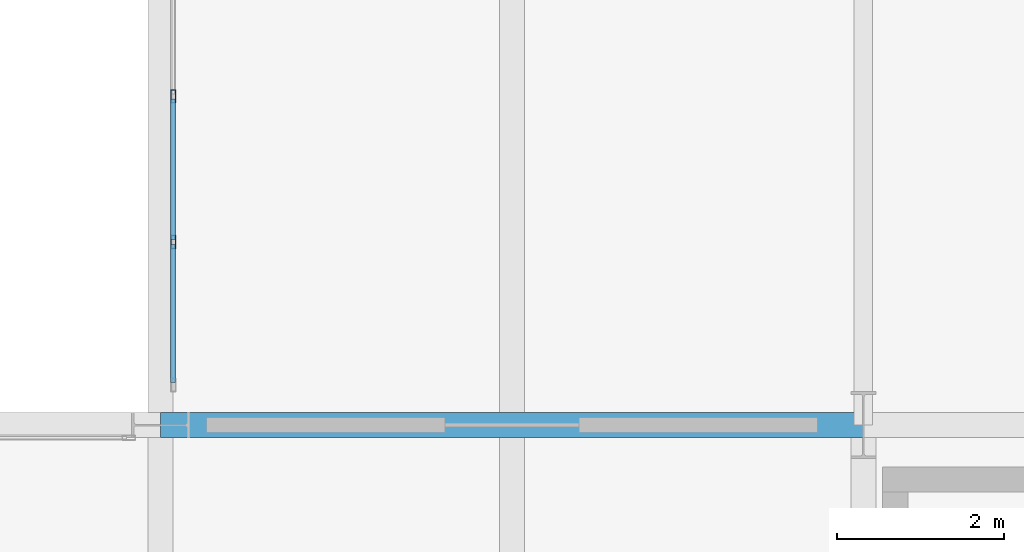
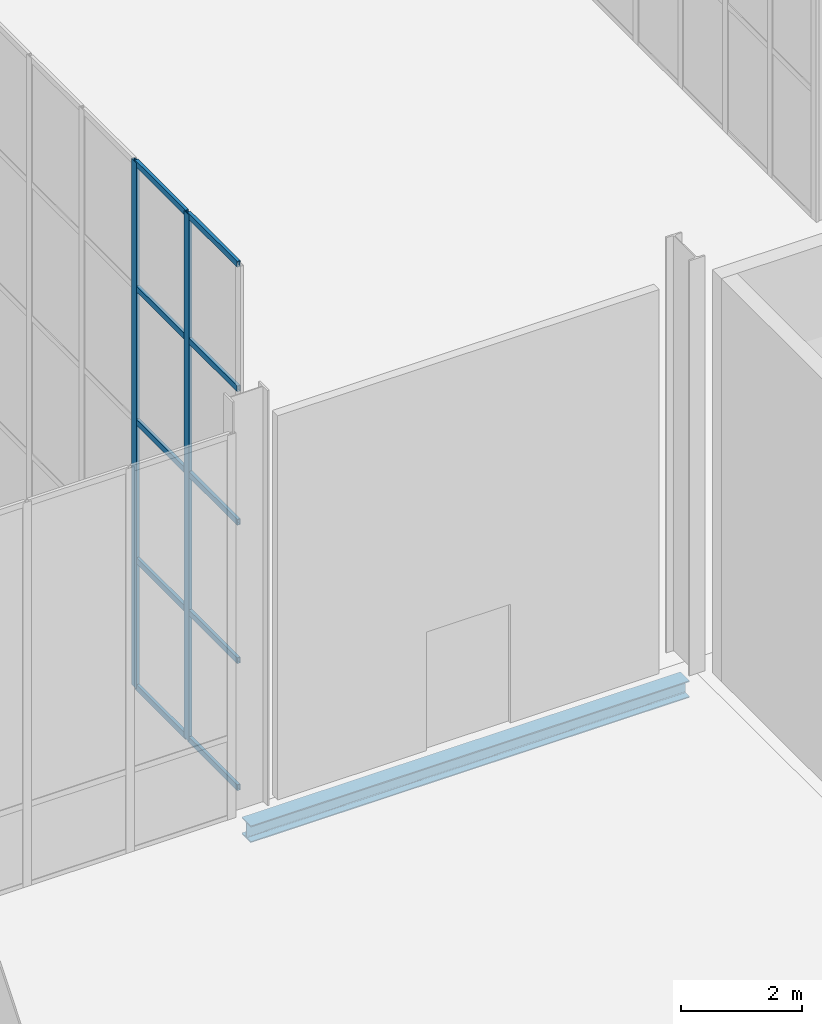
# One storey, part 45 of 131: 12 members, 1 beam, 1 element without a shape of its own.
"""IFC4 building model written with IfcOpenShell, lengths in metres."""

from ifc_helpers import new_model, si_unit, direction, frame, origin, origin_2d, place, context, subcontext, project, spatial, hollow_rectangle, i_section, extrude, material, material_profile, profile_set, type_object, element, aggregate, save


model = new_model("IFC4")

# Units and contexts
model_context = context("Model", 3, precision=1e-05, world=origin(), true_north=direction((0.0, 1.0)))
body_context = subcontext(model_context, "Body", "Model", "MODEL_VIEW")
ifc_project = project(units=[si_unit("LENGTHUNIT", "METRE"), si_unit("AREAUNIT", "SQUARE_METRE"), si_unit("VOLUMEUNIT", "CUBIC_METRE"), si_unit("PLANEANGLEUNIT", "RADIAN"), si_unit("MASSUNIT", "GRAM", prefix="KILO")], contexts=[model_context])

# Site, building, storey
site_placement = place(None, origin())
site = spatial("IfcSite", under=ifc_project, at=site_placement, CompositionType="ELEMENT")
building_placement = place(site_placement, origin())
building = spatial("IfcBuilding", under=site, at=building_placement, Name="Veltarok Museum of Natural Sciences", CompositionType="ELEMENT")
storey_placement = place(building_placement, origin())
storey = spatial("IfcBuildingStorey", under=building, at=storey_placement, Name="L00", CompositionType="ELEMENT", Elevation=0.0)

# Curtain wall, members
ifc_material_1 = material(Name="Low-iron triple insulated glass", Category="glass")
curtain_wall_type = type_object("IfcCurtainWallType", Name="Curtain Wall System CW-PAS-NW-HJ-870x1065 (Sculpture Court Passage H-J 870x1065cm)", PredefinedType="NOTDEFINED", material=ifc_material_1)
curtain_wall_placement = place(storey_placement, origin())
curtain_wall = element("IfcCurtainWall", 1, at=curtain_wall_placement, inside=storey, type_object=curtain_wall_type, Name="Curtain Wall CW-PAS-NW-HJ-870x1065 CW-0024", PredefinedType="NOTDEFINED")
ifc_material_2 = material(Name="Thermally broken anodised aluminium", Category="aluminium")
ifc_material_profile_1 = material_profile(ifc_material_2, hollow_rectangle(XDim=0.06005859375, YDim=0.1201171875, WallThickness=0.0048828125, at=origin_2d()), Name="CW TRANSOM 60x120x5")
ifc_profile_set_1 = profile_set([ifc_material_profile_1], Name="Thermally broken anodised aluminium")
member_type_1 = type_object("IfcMemberType", Name="Curtain Wall Horizontal Transom 60x120x5", PredefinedType="USERDEFINED", material=ifc_profile_set_1)
member_1_placement = place(storey_placement, frame((31.75, 72.510009765625, 0.030029296875), z_axis=(0.0, 1.0, 0.0), x_axis=(-1.0, 0.0, 0.0)))
member_1 = element("IfcMember", 2, at=member_1_placement, type_object=member_type_1, Name="CW-PAS-NW-HJ-870x1065 transom 1.1", ObjectType="TRANSOM", PredefinedType="USERDEFINED", context=body_context, shape_type="SweptSolid", body=[
    extrude(hollow_rectangle(XDim=0.06005859375, YDim=0.1201171875, WallThickness=0.0048828125, at=origin_2d()), origin(), (0.0, 0.0, 1.0), 1.64990234375),
])
member_2_placement = place(storey_placement, frame((31.75, 72.510009765625, 2.60009765625), z_axis=(0.0, 1.0, 0.0), x_axis=(-1.0, 0.0, 0.0)))
member_2 = element("IfcMember", 3, at=member_2_placement, type_object=member_type_1, Name="CW-PAS-NW-HJ-870x1065 transom 1.2", ObjectType="TRANSOM", PredefinedType="USERDEFINED", context=body_context, shape_type="SweptSolid", body=[
    extrude(hollow_rectangle(XDim=0.06005859375, YDim=0.1201171875, WallThickness=0.0048828125, at=origin_2d()), origin(), (0.0, 0.0, 1.0), 1.64990234375),
])
member_3_placement = place(storey_placement, frame((31.75, 72.510009765625, 5.39990234375), z_axis=(0.0, 1.0, 0.0), x_axis=(-1.0, 0.0, 0.0)))
member_3 = element("IfcMember", 4, at=member_3_placement, type_object=member_type_1, Name="CW-PAS-NW-HJ-870x1065 transom 1.3", ObjectType="TRANSOM", PredefinedType="USERDEFINED", context=body_context, shape_type="SweptSolid", body=[
    extrude(hollow_rectangle(XDim=0.06005859375, YDim=0.1201171875, WallThickness=0.0048828125, at=origin_2d()), origin(), (0.0, 0.0, 1.0), 1.64990234375),
])
member_4_placement = place(storey_placement, frame((31.75, 72.510009765625, 8.10009765625), z_axis=(0.0, 1.0, 0.0), x_axis=(-1.0, 0.0, 0.0)))
member_4 = element("IfcMember", 5, at=member_4_placement, type_object=member_type_1, Name="CW-PAS-NW-HJ-870x1065 transom 1.4", ObjectType="TRANSOM", PredefinedType="USERDEFINED", context=body_context, shape_type="SweptSolid", body=[
    extrude(hollow_rectangle(XDim=0.06005859375, YDim=0.1201171875, WallThickness=0.0048828125, at=origin_2d()), origin(), (0.0, 0.0, 1.0), 1.64990234375),
])
member_5_placement = place(storey_placement, frame((31.75, 72.510009765625, 10.6201171875), z_axis=(0.0, 1.0, 0.0), x_axis=(-1.0, 0.0, 0.0)))
member_5 = element("IfcMember", 6, at=member_5_placement, type_object=member_type_1, Name="CW-PAS-NW-HJ-870x1065 transom 1.5", ObjectType="TRANSOM", PredefinedType="USERDEFINED", context=body_context, shape_type="SweptSolid", body=[
    extrude(hollow_rectangle(XDim=0.06005859375, YDim=0.1201171875, WallThickness=0.0048828125, at=origin_2d()), origin(), (0.0, 0.0, 1.0), 1.64990234375),
])
member_6_placement = place(storey_placement, frame((31.75, 74.219970703125, 0.030029296875), z_axis=(0.0, 1.0, 0.0), x_axis=(-1.0, 0.0, 0.0)))
member_6 = element("IfcMember", 7, at=member_6_placement, type_object=member_type_1, Name="CW-PAS-NW-HJ-870x1065 transom 2.1", ObjectType="TRANSOM", PredefinedType="USERDEFINED", context=body_context, shape_type="SweptSolid", body=[
    extrude(hollow_rectangle(XDim=0.06005859375, YDim=0.1201171875, WallThickness=0.0048828125, at=origin_2d()), origin(), (0.0, 0.0, 1.0), 1.679931640625),
])
member_7_placement = place(storey_placement, frame((31.75, 74.219970703125, 2.60009765625), z_axis=(0.0, 1.0, 0.0), x_axis=(-1.0, 0.0, 0.0)))
member_7 = element("IfcMember", 8, at=member_7_placement, type_object=member_type_1, Name="CW-PAS-NW-HJ-870x1065 transom 2.2", ObjectType="TRANSOM", PredefinedType="USERDEFINED", context=body_context, shape_type="SweptSolid", body=[
    extrude(hollow_rectangle(XDim=0.06005859375, YDim=0.1201171875, WallThickness=0.0048828125, at=origin_2d()), origin(), (0.0, 0.0, 1.0), 1.679931640625),
])
member_8_placement = place(storey_placement, frame((31.75, 74.219970703125, 5.39990234375), z_axis=(0.0, 1.0, 0.0), x_axis=(-1.0, 0.0, 0.0)))
member_8 = element("IfcMember", 9, at=member_8_placement, type_object=member_type_1, Name="CW-PAS-NW-HJ-870x1065 transom 2.3", ObjectType="TRANSOM", PredefinedType="USERDEFINED", context=body_context, shape_type="SweptSolid", body=[
    extrude(hollow_rectangle(XDim=0.06005859375, YDim=0.1201171875, WallThickness=0.0048828125, at=origin_2d()), origin(), (0.0, 0.0, 1.0), 1.679931640625),
])
member_9_placement = place(storey_placement, frame((31.75, 74.219970703125, 8.10009765625), z_axis=(0.0, 1.0, 0.0), x_axis=(-1.0, 0.0, 0.0)))
member_9 = element("IfcMember", 10, at=member_9_placement, type_object=member_type_1, Name="CW-PAS-NW-HJ-870x1065 transom 2.4", ObjectType="TRANSOM", PredefinedType="USERDEFINED", context=body_context, shape_type="SweptSolid", body=[
    extrude(hollow_rectangle(XDim=0.06005859375, YDim=0.1201171875, WallThickness=0.0048828125, at=origin_2d()), origin(), (0.0, 0.0, 1.0), 1.679931640625),
])
member_10_placement = place(storey_placement, frame((31.75, 74.219970703125, 10.6201171875), z_axis=(0.0, 1.0, 0.0), x_axis=(-1.0, 0.0, 0.0)))
member_10 = element("IfcMember", 11, at=member_10_placement, type_object=member_type_1, Name="CW-PAS-NW-HJ-870x1065 transom 2.5", ObjectType="TRANSOM", PredefinedType="USERDEFINED", context=body_context, shape_type="SweptSolid", body=[
    extrude(hollow_rectangle(XDim=0.06005859375, YDim=0.1201171875, WallThickness=0.0048828125, at=origin_2d()), origin(), (0.0, 0.0, 1.0), 1.679931640625),
])
ifc_material_profile_2 = material_profile(ifc_material_2, hollow_rectangle(XDim=0.06005859375, YDim=0.159912109375, WallThickness=0.0048828125, at=origin_2d()), Name="CW MULLION 60x160x5")
ifc_profile_set_2 = profile_set([ifc_material_profile_2], Name="Thermally broken anodised aluminium")
member_type_2 = type_object("IfcMemberType", Name="Curtain Wall Vertical Mullion 60x160x5", PredefinedType="MULLION", material=ifc_profile_set_2)
member_11_placement = place(storey_placement, frame((31.75, 74.18994140625, 0.0), z_axis=(0.0, 0.0, 1.0), x_axis=(-1.0, 0.0, 0.0)))
member_11 = element("IfcMember", 12, at=member_11_placement, type_object=member_type_2, Name="CW-PAS-NW-HJ-870x1065 mullion 2", PredefinedType="MULLION", context=body_context, shape_type="SweptSolid", body=[
    extrude(hollow_rectangle(XDim=0.06005859375, YDim=0.159912109375, WallThickness=0.0048828125, at=origin_2d()), origin(), (0.0, 0.0, 1.0), 10.64990234375),
])
member_12_placement = place(storey_placement, frame((31.75, 75.929931640625, 0.0), z_axis=(0.0, 0.0, 1.0), x_axis=(-1.0, 0.0, 0.0)))
member_12 = element("IfcMember", 13, at=member_12_placement, type_object=member_type_2, Name="CW-PAS-NW-HJ-870x1065 mullion 3", PredefinedType="MULLION", context=body_context, shape_type="SweptSolid", body=[
    extrude(hollow_rectangle(XDim=0.06005859375, YDim=0.159912109375, WallThickness=0.0048828125, at=origin_2d()), origin(), (0.0, 0.0, 1.0), 10.64990234375),
])
aggregate(curtain_wall, [member_11, member_12, member_1, member_2, member_3, member_4, member_5, member_6, member_7, member_8, member_9, member_10])

# Beam
ifc_material_3 = material(Name="Steel S355J2", Category="steel")
ifc_material_profile_3 = material_profile(ifc_material_3, i_section(OverallWidth=0.300048828125, OverallDepth=0.340087890625, WebThickness=0.011962890625, FlangeThickness=0.021484375, FilletRadius=0.027099609375, at=origin_2d()), Name="HEB 340")
ifc_profile_set_3 = profile_set([ifc_material_profile_3], Name="Steel S355J2")
beam_type = type_object("IfcBeamType", Name="Perimeter Bridge Spandrel HEB 340", PredefinedType="SPANDREL", material=ifc_profile_set_3)
beam_placement = place(storey_placement, frame((31.60009765625, 72.0, -0.469970703125), z_axis=(1.0, 0.0, 0.0), x_axis=(0.0, 1.0, 0.0)))
element("IfcBeam", 14, at=beam_placement, inside=storey, type_object=beam_type, Name="Beam BM-SP07 L00 4-5/H", PredefinedType="SPANDREL", context=body_context, shape_type="SweptSolid", body=[
    extrude(i_section(OverallWidth=0.300048828125, OverallDepth=0.340087890625, WebThickness=0.011962890625, FlangeThickness=0.021484375, FilletRadius=0.027099609375, at=origin_2d()), origin(), (0.0, 0.0, 1.0), 8.39990234375),
])

save(model, "model.ifc")
